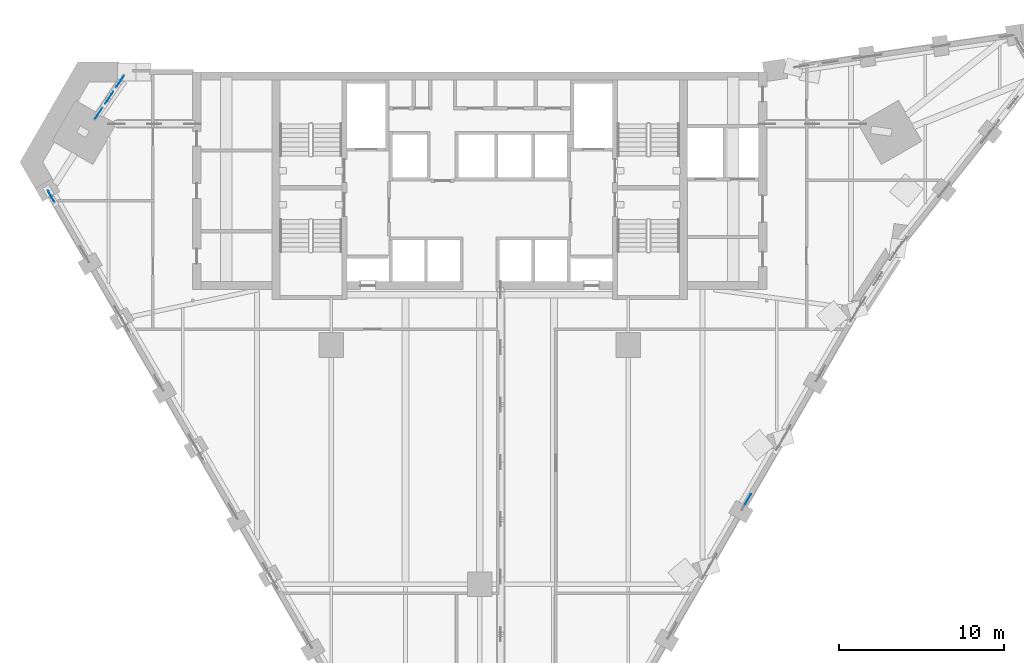
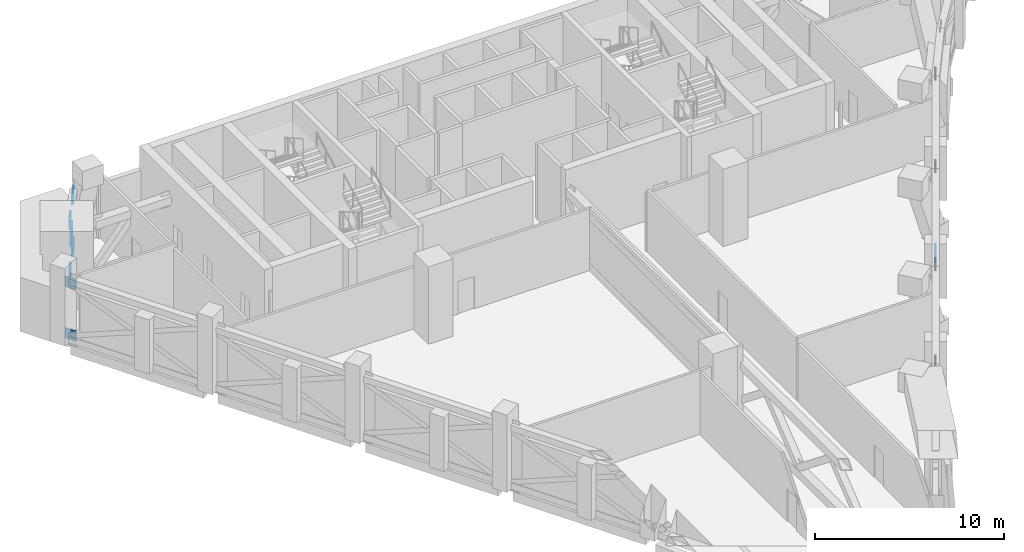
# One storey, part 17 of 20: 9 discrete accessories.
"""IFC4 building model written with IfcOpenShell, lengths in metres."""

import ifcopenshell
import ifcopenshell.guid

model = None  # the IFC model being written
_history = None  # IfcOwnerHistory: only IFC2X3 demands one
_inside = {}  # id of a spatial element -> (the spatial element, [elements in it])
_under = {}  # id of a project, library or spatial element -> (it, [spatial elements below it])
_declared = {}  # id of a project -> (the project, [libraries it declares])
_typed = {}  # id of a type object -> (the type object, [elements of that type])
_made_of = {}  # id of a material, layer set ... -> (it, [elements and type objects made of it])


def new_model(schema):
    """Start an empty IFC model of exactly this schema.

    Asked for "IFC4X3", IfcOpenShell would pick the latest addendum, in which some entities
    have other attributes; the version numbers below select the first issue.
    IFC2X3 requires an IfcOwnerHistory on every rooted entity: one is made here for all.
    """
    global model, _history
    if schema == "IFC4X3":
        model = ifcopenshell.file(schema_version=(4, 3, 0, 0))
    else:
        model = ifcopenshell.file(schema=schema)
    _inside.clear()
    _under.clear()
    _declared.clear()
    _typed.clear()
    _made_of.clear()
    _history = None
    if model.schema == "IFC2X3":
        org = make("IfcOrganization", Name="unknown")
        user = make(
            "IfcPersonAndOrganization",
            ThePerson=make("IfcPerson", FamilyName="unknown"),
            TheOrganization=org,
        )
        app = make(
            "IfcApplication",
            ApplicationDeveloper=org,
            Version="unknown",
            ApplicationFullName="unknown",
            ApplicationIdentifier="unknown",
        )
        _history = make(
            "IfcOwnerHistory",
            OwningUser=user,
            OwningApplication=app,
            ChangeAction="ADDED",
            CreationDate=0,
        )
    return model


def make(cls, **values):
    """One entity of the class cls with the attributes given. An attribute that is None is left unset."""
    return model.create_entity(
        cls, **{name: value for name, value in values.items() if value is not None}
    )


def rooted(cls, **values):
    """An entity with a GlobalId (a new one), such as an element, a storey or a relation."""
    return make(cls, GlobalId=ifcopenshell.guid.new(), OwnerHistory=_history, **values)


def si_unit(unit_type, name, prefix=None):
    """IfcSIUnit, for example si_unit("LENGTHUNIT", "METRE", prefix="MILLI")."""
    return make("IfcSIUnit", UnitType=unit_type, Prefix=prefix, Name=name)


def assignment(units):
    """IfcUnitAssignment: the units of a project."""
    return None if units is None else make("IfcUnitAssignment", Units=units)


def point(xyz):
    """IfcCartesianPoint."""
    return None if xyz is None else make("IfcCartesianPoint", Coordinates=xyz)


def direction(xyz):
    """IfcDirection."""
    return None if xyz is None else make("IfcDirection", DirectionRatios=xyz)


def frame(location, z_axis=None, x_axis=None):
    """IfcAxis2Placement3D, a coordinate frame: its origin and axes. An axis left out is left unset."""
    return make(
        "IfcAxis2Placement3D",
        Location=point(location),
        Axis=direction(z_axis),
        RefDirection=direction(x_axis),
    )


def frame_2d(location, x_axis=None):
    """IfcAxis2Placement2D, a coordinate frame in the plane: its origin and x axis."""
    return make(
        "IfcAxis2Placement2D", Location=point(location), RefDirection=direction(x_axis)
    )


def origin():
    """The frame at (0, 0, 0) with its axes left unset."""
    return frame((0.0, 0.0, 0.0))


def origin_2d():
    """The frame at (0, 0) in the plane with its x axis left unset."""
    return frame_2d((0.0, 0.0))


def place(relative_to, where):
    """IfcLocalPlacement: puts the frame where relative to a parent placement (None: the world)."""
    return make(
        "IfcLocalPlacement", PlacementRelTo=relative_to, RelativePlacement=where
    )


def context(
    kind, dimensions, precision=None, world=None, true_north=None, identifier=None
):
    """IfcGeometricRepresentationContext, for example the 3D "Model" context."""
    return make(
        "IfcGeometricRepresentationContext",
        ContextIdentifier=identifier,
        ContextType=kind,
        CoordinateSpaceDimension=dimensions,
        Precision=precision,
        WorldCoordinateSystem=world,
        TrueNorth=true_north,
    )


def subcontext(parent, identifier, kind, view, scale=None):
    """IfcGeometricRepresentationSubContext, for example "Body" below "Model"."""
    return make(
        "IfcGeometricRepresentationSubContext",
        ContextIdentifier=identifier,
        ContextType=kind,
        ParentContext=parent,
        TargetScale=scale,
        TargetView=view,
    )


def project(units=None, contexts=None):
    """IfcProject with its units and contexts."""
    return rooted(
        "IfcProject",
        Name="project",
        RepresentationContexts=contexts,
        UnitsInContext=assignment(units),
    )


def spatial(cls, under=None, at=None, **own):
    """A site, building, storey or space (cls), placed at a placement, below another one or the project."""
    s = rooted(cls, ObjectPlacement=at, **own)
    if under is not None:
        _under.setdefault(under.id(), (under, []))[1].append(s)
    return s


def profile(cls, at=None, kind="AREA", **sizes):
    """A parametric profile (cls). Its sizes go by their IFC names, for example OverallWidth=200.0."""
    return make(cls, ProfileType=kind, Position=at, **sizes)


def rectangle(**sizes):
    """IfcRectangleProfileDef."""
    return profile("IfcRectangleProfileDef", **sizes)


def extrude(swept, where, along, depth):
    """IfcExtrudedAreaSolid: the profile swept, set in the frame where, extruded along a direction by depth."""
    return make(
        "IfcExtrudedAreaSolid",
        SweptArea=swept,
        Position=where,
        ExtrudedDirection=direction(along),
        Depth=depth,
    )


def shape(context_of_items, identifier, shape_type, items):
    """IfcShapeRepresentation: the items that make up one representation, for example the "Body"."""
    return make(
        "IfcShapeRepresentation",
        ContextOfItems=context_of_items,
        RepresentationIdentifier=identifier,
        RepresentationType=shape_type,
        Items=items,
    )


def material(Name=None, Category=None):
    """IfcMaterial."""
    return make("IfcMaterial", Name=Name, Category=Category)


def made_of(thing, what):
    """Note that an element or type object is made of a material, layer set ...; save() writes the relation."""
    if what is not None:
        _made_of.setdefault(what.id(), (what, []))[1].append(thing)
    return thing


def type_object(cls, material=None, **own):
    """A type object (cls), such as IfcWallType, which elements share."""
    return made_of(rooted(cls, **own), material)


def element(
    cls,
    number,
    at=None,
    inside=None,
    cuts=None,
    type_object=None,
    material=None,
    context=None,
    identifier="Body",
    shape_type=None,
    held_by="IfcProductDefinitionShape",
    body=None,
    shapes=None,
    **own,
):
    """One element of the class cls, such as IfcWall. Its Tag is "e" and its number.

    at: its placement. inside: the storey or other place that contains it. cuts: it is an
    opening in that element (IfcRelVoidsElement). A single representation is given by context,
    identifier, shape_type and body (its items); several are given by shapes. held_by: the class
    of the entity that holds the representations. save() writes the other relations.
    """
    e = rooted(cls, Tag="e%d" % number, ObjectPlacement=at, **own)
    if body is not None:
        shapes = [shape(context, identifier, shape_type, body)]
    if shapes is not None:
        e.Representation = make(held_by, Representations=shapes)
    if inside is not None:
        _inside.setdefault(inside.id(), (inside, []))[1].append(e)
    if cuts is not None:
        rooted(
            "IfcRelVoidsElement", RelatingBuildingElement=cuts, RelatedOpeningElement=e
        )
    if type_object is not None:
        _typed.setdefault(type_object.id(), (type_object, []))[1].append(e)
    return made_of(e, material)


def aggregate(whole, parts):
    """IfcRelAggregates: a whole, such as a stair, and the parts it consists of."""
    return rooted("IfcRelAggregates", RelatingObject=whole, RelatedObjects=parts)


def save(model, path):
    """Write the relations noted so far, then the file.

    IfcRelAggregates (storeys below a building ...), IfcRelContainedInSpatialStructure (elements
    in a storey), IfcRelDefinesByType, IfcRelAssociatesMaterial and IfcRelDeclares: one each for
    every whole, place, type object, material and project.
    """
    for whole, parts in _under.values():
        aggregate(whole, parts)
    for where, things in _inside.values():
        rooted(
            "IfcRelContainedInSpatialStructure",
            RelatedElements=things,
            RelatingStructure=where,
        )
    for kind, things in _typed.values():
        rooted("IfcRelDefinesByType", RelatedObjects=things, RelatingType=kind)
    for what, things in _made_of.values():
        rooted("IfcRelAssociatesMaterial", RelatedObjects=things, RelatingMaterial=what)
    for by, libraries in _declared.values():
        rooted("IfcRelDeclares", RelatingContext=by, RelatedDefinitions=libraries)
    model.write(path)


model = new_model("IFC4")

# Units and contexts
model_context = context("Model", 3, precision=1e-05, world=origin(), true_north=direction((0.0, 1.0)))
body_context = subcontext(model_context, "Body", "Model", "MODEL_VIEW")
ifc_project = project(units=[si_unit("LENGTHUNIT", "METRE"), si_unit("AREAUNIT", "SQUARE_METRE"), si_unit("VOLUMEUNIT", "CUBIC_METRE"), si_unit("PLANEANGLEUNIT", "RADIAN"), si_unit("MASSUNIT", "GRAM", prefix="KILO")], contexts=[model_context])

# Site, building, storey
site_placement = place(None, origin())
site = spatial("IfcSite", under=ifc_project, at=site_placement, CompositionType="ELEMENT")
building_placement = place(site_placement, origin())
building = spatial("IfcBuilding", under=site, at=building_placement, Name="Calabash Gate Tower", CompositionType="ELEMENT")
storey_placement = place(building_placement, frame((0.0, 0.0, 139.60009765625)))
storey = spatial("IfcBuildingStorey", under=building, at=storey_placement, Name="L32", CompositionType="ELEMENT", Elevation=139.60009765625)

# Discrete accessories
ifc_material = material(Name="Steel ASTM A572 Gr50", Category="steel")
discrete_accessory_type = type_object("IfcDiscreteAccessoryType", Name="Connection plate 25", PredefinedType="BRACKET", material=ifc_material)
for number, where, z_axis, x_axis, name in (
    (1, (16.257080078125, -6.8466796875, 1.638671875), (0.0, 0.0, 1.0), (0.499999954655, 0.866025429964, 0.0), "Connection plate Belt diagonal (split) L32 50 half 2 of 2 start"),
    (2, (-21.798583984375, 18.45263671875, 0.0625), (0.0, 0.0, 1.0), (-0.556242285298, -0.831020168255, 0.0), "Connection plate Belt diagonal L32 88 start"),
    (3, (-23.08984375, 16.523193359375, 3.37939453125), (0.0, 0.0, 1.0), (-0.556242285298, -0.831020168255, 0.0), "Connection plate Belt diagonal L32 88 end"),
    (4, (-21.798583984375, 18.45263671875, 3.37939453125), (0.0, 0.0, 1.0), (-0.556242038729, -0.831020333295, 0.0), "Connection plate Belt diagonal (split) L32 89 half 1 of 2 start"),
    (5, (-22.392578125, 17.565185546875, 1.85400390625), (0.0, 0.0, 1.0), (-0.556242038729, -0.831020333295, 0.0), "Connection plate Belt diagonal (split) L32 89 half 1 of 2 end"),
    (6, (-22.495849609375, 17.41064453125, 1.58837890625), (0.0, 0.0, 1.0), (-0.556242038729, -0.831020333295, 0.0), "Connection plate Belt diagonal (split) L32 90 half 2 of 2 start"),
    (7, (-23.08984375, 16.523193359375, 0.0625), (0.0, 0.0, 1.0), (-0.556242038729, -0.831020333295, 0.0), "Connection plate Belt diagonal (split) L32 90 half 2 of 2 end"),
    (8, (-25.963134765625, 11.504638671875, 0.0625), (0.0, 0.0, 1.0), (0.49999993954, -0.866025438691, 0.0), "Connection plate Belt diagonal L32 93 start"),
    (9, (-25.963134765625, 11.504638671875, 3.37939453125), (0.0, 0.0, 1.0), (0.49999984885, -0.866025491051, 0.0), "Connection plate Belt diagonal (split) L32 94 half 1 of 2 start"),
):
    element("IfcDiscreteAccessory", number, at=place(storey_placement, frame(where, z_axis=z_axis, x_axis=x_axis)), inside=storey, type_object=discrete_accessory_type, Name=name, PredefinedType="BRACKET", context=body_context, shape_type="SweptSolid", body=[
        extrude(rectangle(XDim=0.687744140625, YDim=0.02490234375, at=origin_2d()), origin(), (0.0, 0.0, 1.0), 0.687744140625),
    ])

save(model, "model.ifc")
